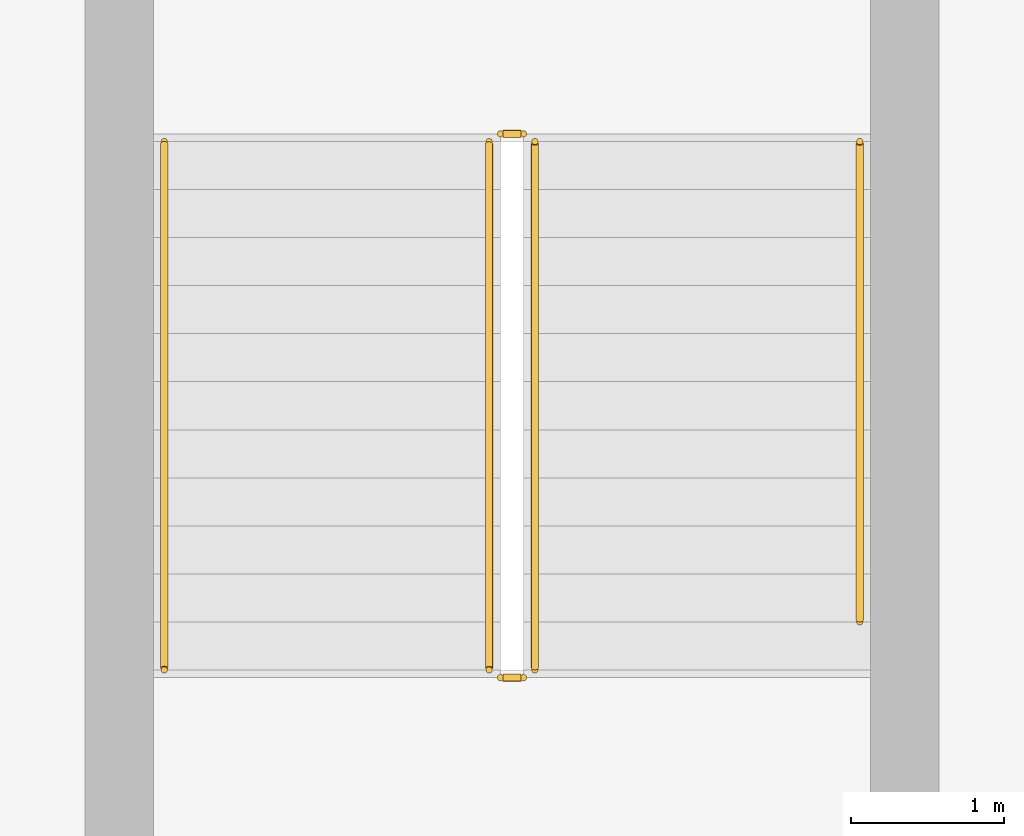
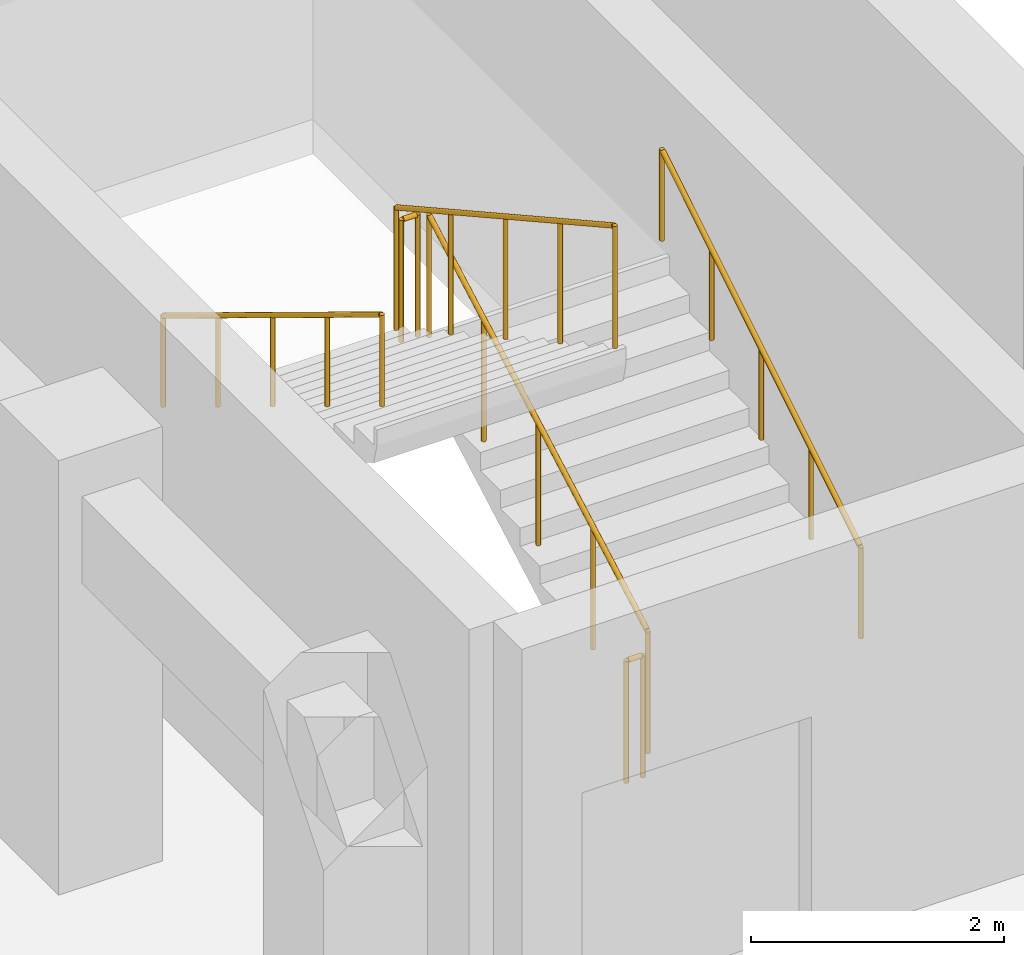
# One storey, part 29 of 39: 6 railings.
"""IFC4 building model written with IfcOpenShell, lengths in metres."""

from ifc_helpers import new_model, si_unit, direction, frame, origin, origin_2d, place, context, subcontext, project, spatial, circle, extrude, material, type_object, element, save


model = new_model("IFC4")

# Units and contexts
model_context = context("Model", 3, precision=1e-05, world=origin(), true_north=direction((0.0, 1.0)))
body_context = subcontext(model_context, "Body", "Model", "MODEL_VIEW")
ifc_project = project(units=[si_unit("LENGTHUNIT", "METRE"), si_unit("AREAUNIT", "SQUARE_METRE"), si_unit("VOLUMEUNIT", "CUBIC_METRE"), si_unit("PLANEANGLEUNIT", "RADIAN"), si_unit("MASSUNIT", "GRAM", prefix="KILO")], contexts=[model_context])

# Site, building, storey
site_placement = place(None, origin())
site = spatial("IfcSite", under=ifc_project, at=site_placement, CompositionType="ELEMENT")
building_placement = place(site_placement, origin())
building = spatial("IfcBuilding", under=site, at=building_placement, Name="Nakhvara Creek Congress Hotel", CompositionType="ELEMENT")
storey_placement = place(building_placement, frame((0.0, 0.0, -4.199951171875)))
storey = spatial("IfcBuildingStorey", under=building, at=storey_placement, Name="B1", CompositionType="ELEMENT", Elevation=-4.199951171875)

# Railings
ifc_material = material(Name="Brushed stainless steel 316L", Category="steel")
railing_type_1 = type_object("IfcRailingType", Name="RL-GUARD-1200", PredefinedType="GUARDRAIL", material=ifc_material)
railing_1_placement = place(storey_placement, frame((52.875, 115.080078125, 0.175048828125)))
element("IfcRailing", 1, at=railing_1_placement, inside=storey, type_object=railing_type_1, Name="B1 ST08 stair guard 1", PredefinedType="GUARDRAIL", context=body_context, shape_type="SweptSolid", body=[
    extrude(circle(Radius=0.02392578125, at=origin_2d()), frame((0.0, 0.012939453125, 1.18310546875), z_axis=(0.0, 0.874168897738, 0.48562201168), x_axis=(-1.0, 0.0, 0.0)), (0.0, 0.0, 1.0), 3.93408203125),
    extrude(circle(Radius=0.02099609375, at=origin_2d()), origin(), (0.0, 0.0, 1.0), 1.1806640625),
    extrude(circle(Radius=0.02099609375, at=origin_2d()), frame((0.0, 0.8662109375, 0.481201171875)), (0.0, 0.0, 1.0), 1.1806640625),
    extrude(circle(Radius=0.02099609375, at=origin_2d()), frame((0.0, 1.732421875, 0.96240234375)), (0.0, 0.0, 1.0), 1.1806640625),
    extrude(circle(Radius=0.02099609375, at=origin_2d()), frame((0.0, 2.5986328125, 1.443603515625)), (0.0, 0.0, 1.0), 1.1806640625),
    extrude(circle(Radius=0.02099609375, at=origin_2d()), frame((0.0, 3.46484375, 1.9248046875)), (0.0, 0.0, 1.0), 1.1806640625),
])
railing_2_placement = place(storey_placement, frame((52.800048828125, 118.594970703125, 2.099853515625)))
element("IfcRailing", 2, at=railing_2_placement, inside=storey, type_object=railing_type_1, Name="B1 ST08 stair guard 2", PredefinedType="GUARDRAIL", context=body_context, shape_type="SweptSolid", body=[
    extrude(circle(Radius=0.02392578125, at=origin_2d()), frame((-0.0146484375, 0.0, 1.17578125), z_axis=(-1.0, 0.0, 0.0), x_axis=(0.0, -1.0, 0.0)), (0.0, 0.0, 1.0), 0.120849609375),
    extrude(circle(Radius=0.02099609375, at=origin_2d()), origin(), (0.0, 0.0, 1.0), 1.1806640625),
    extrude(circle(Radius=0.02099609375, at=origin_2d()), frame((-0.150146484375, 0.0, 0.0)), (0.0, 0.0, 1.0), 1.1806640625),
])
railing_3_placement = place(storey_placement, frame((52.574951171875, 118.544921875, 2.27490234375)))
element("IfcRailing", 3, at=railing_3_placement, inside=storey, type_object=railing_type_1, Name="B1 ST08 stair guard 3", PredefinedType="GUARDRAIL", context=body_context, shape_type="SweptSolid", body=[
    extrude(circle(Radius=0.02392578125, at=origin_2d()), frame((0.0, -0.012939453125, 1.18310546875), z_axis=(0.0, -0.874142748832, 0.485669079379), x_axis=(1.0, 0.0, 0.0)), (0.0, 0.0, 1.0), 3.934326171875),
    extrude(circle(Radius=0.02099609375, at=origin_2d()), origin(), (0.0, 0.0, 1.0), 1.1806640625),
    extrude(circle(Radius=0.02099609375, at=origin_2d()), frame((0.0, -0.8662109375, 0.481201171875)), (0.0, 0.0, 1.0), 1.1806640625),
    extrude(circle(Radius=0.02099609375, at=origin_2d()), frame((0.0, -1.732421875, 0.96240234375)), (0.0, 0.0, 1.0), 1.1806640625),
    extrude(circle(Radius=0.02099609375, at=origin_2d()), frame((0.0, -2.5986328125, 1.44384765625)), (0.0, 0.0, 1.0), 1.1806640625),
    extrude(circle(Radius=0.02099609375, at=origin_2d()), frame((0.0, -3.46484375, 1.925048828125)), (0.0, 0.0, 1.0), 1.1806640625),
])
railing_4_placement = place(storey_placement, frame((52.800048828125, 115.030029296875, 0.0)))
element("IfcRailing", 4, at=railing_4_placement, inside=storey, type_object=railing_type_1, Name="B1 ST08 stair guard 4", PredefinedType="GUARDRAIL", context=body_context, shape_type="SweptSolid", body=[
    extrude(circle(Radius=0.02392578125, at=origin_2d()), frame((-0.0146484375, 0.0, 1.17578125), z_axis=(-1.0, 0.0, 0.0), x_axis=(0.0, -1.0, 0.0)), (0.0, 0.0, 1.0), 0.120849609375),
    extrude(circle(Radius=0.02099609375, at=origin_2d()), origin(), (0.0, 0.0, 1.0), 1.1806640625),
    extrude(circle(Radius=0.02099609375, at=origin_2d()), frame((-0.150146484375, 0.0, 0.0)), (0.0, 0.0, 1.0), 1.1806640625),
])
railing_type_2 = type_object("IfcRailingType", Name="RL-HAND-900", PredefinedType="HANDRAIL", material=ifc_material)
railing_5_placement = place(storey_placement, frame((55.0048828125, 115.39501953125, 0.349853515625)))
element("IfcRailing", 5, at=railing_5_placement, inside=storey, type_object=railing_type_2, Name="B1 ST08 stair handrail 1", PredefinedType="HANDRAIL", context=body_context, shape_type="SweptSolid", body=[
    extrude(circle(Radius=0.02392578125, at=origin_2d()), frame((0.0, 0.012451171875, 0.883544921875), z_axis=(0.0, 0.85194385619, 0.523633140567), x_axis=(-1.0, 0.0, 0.0)), (0.0, 0.0, 1.0), 3.66796875),
    extrude(circle(Radius=0.02099609375, at=origin_2d()), origin(), (0.0, 0.0, 1.0), 0.880615234375),
    extrude(circle(Radius=0.02099609375, at=origin_2d()), frame((0.0, 0.78759765625, 0.48388671875)), (0.0, 0.0, 1.0), 0.880615234375),
    extrude(circle(Radius=0.02099609375, at=origin_2d()), frame((0.0, 1.574951171875, 0.968017578125)), (0.0, 0.0, 1.0), 0.880615234375),
    extrude(circle(Radius=0.02099609375, at=origin_2d()), frame((0.0, 2.3623046875, 1.4521484375)), (0.0, 0.0, 1.0), 0.880615234375),
    extrude(circle(Radius=0.02099609375, at=origin_2d()), frame((0.0, 3.14990234375, 1.93603515625)), (0.0, 0.0, 1.0), 0.880615234375),
])
railing_6_placement = place(storey_placement, frame((50.445068359375, 118.544921875, 2.27490234375)))
element("IfcRailing", 6, at=railing_6_placement, inside=storey, type_object=railing_type_2, Name="B1 ST08 stair handrail 2", PredefinedType="HANDRAIL", context=body_context, shape_type="SweptSolid", body=[
    extrude(circle(Radius=0.02392578125, at=origin_2d()), frame((0.0, -0.012451171875, 0.883544921875), z_axis=(0.0, -0.853974217878, 0.520315322857), x_axis=(1.0, 0.0, 0.0)), (0.0, 0.0, 1.0), 4.02783203125),
    extrude(circle(Radius=0.02099609375, at=origin_2d()), origin(), (0.0, 0.0, 1.0), 0.880615234375),
    extrude(circle(Radius=0.02099609375, at=origin_2d()), frame((0.0, -0.8662109375, 0.52783203125)), (0.0, 0.0, 1.0), 0.880615234375),
    extrude(circle(Radius=0.02099609375, at=origin_2d()), frame((0.0, -1.732421875, 1.0556640625)), (0.0, 0.0, 1.0), 0.880615234375),
    extrude(circle(Radius=0.02099609375, at=origin_2d()), frame((0.0, -2.5986328125, 1.583251953125)), (0.0, 0.0, 1.0), 0.880615234375),
    extrude(circle(Radius=0.02099609375, at=origin_2d()), frame((0.0, -3.46484375, 2.111083984375)), (0.0, 0.0, 1.0), 0.880615234375),
])

save(model, "model.ifc")
